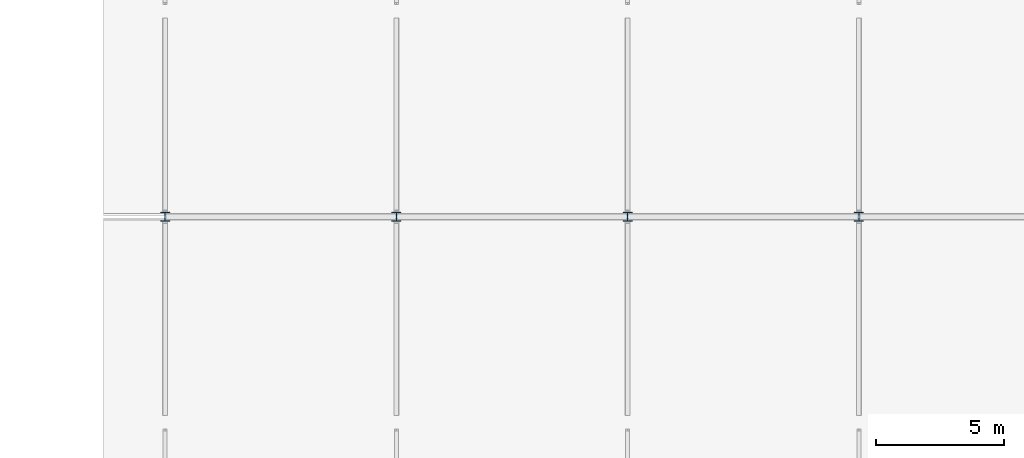
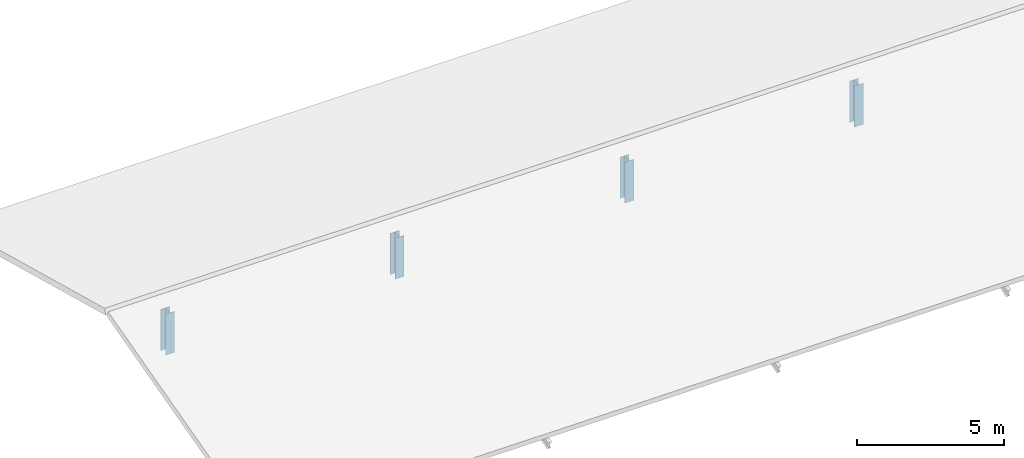
# One storey, part 5 of 71: 4 columns.
"""IFC4 building model written with IfcOpenShell, lengths in metres."""

from ifc_helpers import new_model, si_unit, derived_unit, direction, frame, origin, origin_2d, place, context, subcontext, project, spatial, i_section, extrude, material, material_profile, profile_set, type_object, element, save


model = new_model("IFC4")

# Units and contexts
model_context = context("Model", 3, precision=1e-05, world=origin(), true_north=direction((0.0, 1.0)))
body_context = subcontext(model_context, "Body", "Model", "MODEL_VIEW")
ifc_project = project(units=[si_unit("LENGTHUNIT", "METRE"), si_unit("AREAUNIT", "SQUARE_METRE"), si_unit("VOLUMEUNIT", "CUBIC_METRE"), si_unit("PLANEANGLEUNIT", "RADIAN"), si_unit("MASSUNIT", "GRAM", prefix="KILO"), derived_unit("THERMALTRANSMITTANCEUNIT", [(si_unit("MASSUNIT", "GRAM", prefix="KILO"), 1), (si_unit("TIMEUNIT", "SECOND"), -3), (si_unit("THERMODYNAMICTEMPERATUREUNIT", "KELVIN"), -1)])], contexts=[model_context])

# Site, building, storey
site_placement = place(None, origin())
site = spatial("IfcSite", under=ifc_project, at=site_placement, CompositionType="ELEMENT")
building_placement = place(site_placement, origin())
building = spatial("IfcBuilding", under=site, at=building_placement, Name="Zhenchuan Archway Interchange", CompositionType="ELEMENT")
storey_placement = place(building_placement, frame((0.0, 0.0, 18.60009765625)))
storey = spatial("IfcBuildingStorey", under=building, at=storey_placement, Name="L04", CompositionType="ELEMENT", Elevation=18.60009765625)

# Columns
ifc_material = material(Name="Steel Q355", Category="steel")
ifc_material_profile = material_profile(ifc_material, i_section(OverallWidth=0.35009765625, OverallDepth=0.35009765625, WebThickness=0.011962890625, FlangeThickness=0.01904296875, FilletRadius=0.02001953125, at=origin_2d()), Name="HW 350x350")
ifc_profile_set = profile_set([ifc_material_profile], Name="Steel Q355")
column_type = type_object("IfcColumnType", Name="COL_STL_HW350", PredefinedType="COLUMN", material=ifc_profile_set)
for number, where, z_axis, x_axis, name in (
    (1, (108.0, 96.0, 0.0), (0.0, 0.0, 1.0), (1.0, 0.0, 0.0), "Courtyard arm gable ridge column 13/N (L04)"),
    (2, (117.0, 96.0, 0.0), (0.0, 0.0, 1.0), (1.0, 0.0, 0.0), "Courtyard arm gable ridge column 14/N (L04)"),
    (3, (126.0, 96.0, 0.0), (0.0, 0.0, 1.0), (1.0, 0.0, 0.0), "Courtyard arm gable ridge column 15/N (L04)"),
    (4, (135.0, 96.0, 0.0), (0.0, 0.0, 1.0), (1.0, 0.0, 0.0), "Courtyard arm gable ridge column 16/N (L04)"),
):
    element("IfcColumn", number, at=place(storey_placement, frame(where, z_axis=z_axis, x_axis=x_axis)), inside=storey, type_object=column_type, Name=name, PredefinedType="COLUMN", context=body_context, shape_type="SweptSolid", body=[
        extrude(i_section(OverallWidth=0.35009765625, OverallDepth=0.35009765625, WebThickness=0.011962890625, FlangeThickness=0.01904296875, FilletRadius=0.02001953125, at=origin_2d()), origin(), (0.0, 0.0, 1.0), 1.699951171875),
    ])

save(model, "model.ifc")
